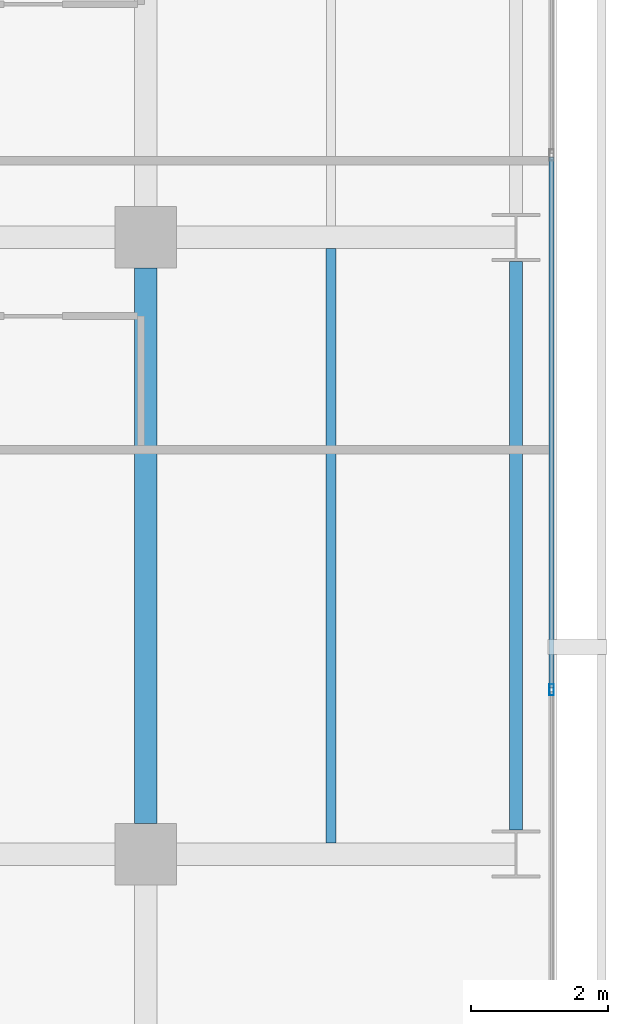
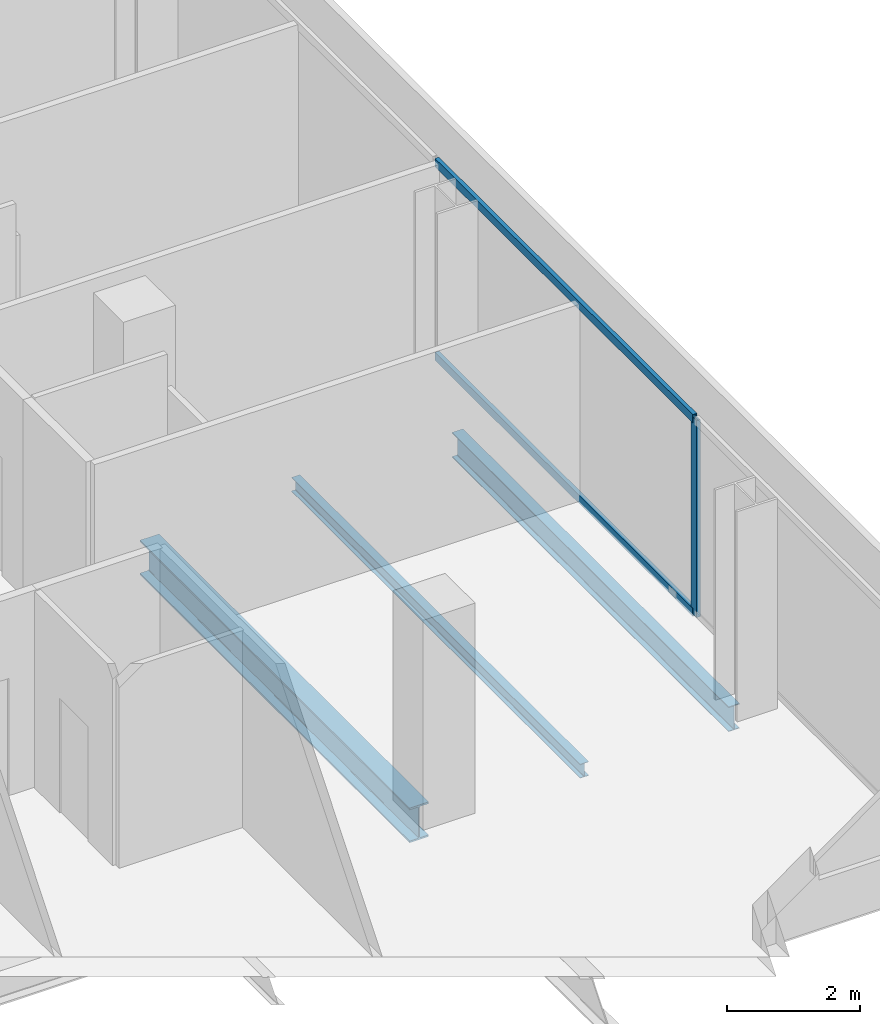
# One storey, part 17 of 40: 3 beams, 3 members, 1 element without a shape of its own.
"""IFC4 building model written with IfcOpenShell, lengths in metres."""

from ifc_helpers import new_model, si_unit, direction, frame, origin, origin_2d, place, context, subcontext, project, spatial, hollow_rectangle, i_section, extrude, material, layer, layer_set, material_profile, profile_set, type_object, element, aggregate, save


model = new_model("IFC4")

# Units and contexts
model_context = context("Model", 3, precision=1e-05, world=origin(), true_north=direction((0.0, 1.0)))
body_context = subcontext(model_context, "Body", "Model", "MODEL_VIEW")
ifc_project = project(units=[si_unit("LENGTHUNIT", "METRE"), si_unit("AREAUNIT", "SQUARE_METRE"), si_unit("VOLUMEUNIT", "CUBIC_METRE"), si_unit("PLANEANGLEUNIT", "RADIAN"), si_unit("MASSUNIT", "GRAM", prefix="KILO")], contexts=[model_context])

# Site, building, storey
site_placement = place(None, origin())
site = spatial("IfcSite", under=ifc_project, at=site_placement, CompositionType="ELEMENT")
building_placement = place(site_placement, origin())
building = spatial("IfcBuilding", under=site, at=building_placement, Name="Maruvema Waterfront Hotel and Observation Tower", CompositionType="ELEMENT")
storey_placement = place(building_placement, frame((0.0, 0.0, 30.800048828125)))
storey = spatial("IfcBuildingStorey", under=building, at=storey_placement, Name="L06", CompositionType="ELEMENT", Elevation=30.800048828125)

# Curtain wall, members
ifc_material_1 = material(Name="Anodised bronze aluminium and solar-control low-E IGU", Category="aluminium")
ifc_layer = layer(ifc_material_1, 0.159912109375, Name="Zone 1 Bronze Inner Thermal Curtain Wall System CW-02")
ifc_layer_set = layer_set([ifc_layer], Name="Anodised bronze aluminium and solar-control low-E IGU")
curtain_wall_type = type_object("IfcCurtainWallType", Name="Zone 1 Bronze Inner Thermal Curtain Wall System CW-02", PredefinedType="USERDEFINED", material=ifc_layer_set)
curtain_wall_placement = place(storey_placement, origin())
curtain_wall = element("IfcCurtainWall", 1, at=curtain_wall_placement, inside=storey, type_object=curtain_wall_type, Name="L06 Curtain Wall CW-L06-E", ObjectType="UNITISED CURTAIN WALL", PredefinedType="USERDEFINED")
ifc_material_2 = material(Name="Anodised architectural bronze aluminium", Category="aluminium")
ifc_material_profile_1 = material_profile(ifc_material_2, hollow_rectangle(XDim=0.070068359375, YDim=0.14990234375, WallThickness=0.00390625, at=origin_2d()), Name="ALU-T70x150")
ifc_profile_set_1 = profile_set([ifc_material_profile_1], Name="Anodised architectural bronze aluminium")
member_type_1 = type_object("IfcMemberType", Name="Curtain Wall Horizontal Transom ALU-T70x150", PredefinedType="USERDEFINED", material=ifc_profile_set_1)
member_1_placement = place(storey_placement, frame((64.719970703125, 11.429931640625, 0.030029296875), z_axis=(0.0, 1.0, 0.0), x_axis=(-1.0, 0.0, 0.0)))
member_1 = element("IfcMember", 2, at=member_1_placement, type_object=member_type_1, Name="CW-02 transom 2.1", ObjectType="TRANSOM", PredefinedType="USERDEFINED", context=body_context, shape_type="SweptSolid", body=[
    extrude(hollow_rectangle(XDim=0.070068359375, YDim=0.14990234375, WallThickness=0.00390625, at=origin_2d()), origin(), (0.0, 0.0, 1.0), 7.739990234375),
])
member_2_placement = place(storey_placement, frame((64.719970703125, 11.429931640625, 3.579833984375), z_axis=(0.0, 1.0, 0.0), x_axis=(-1.0, 0.0, 0.0)))
member_2 = element("IfcMember", 3, at=member_2_placement, type_object=member_type_1, Name="CW-02 transom 2.2", ObjectType="TRANSOM", PredefinedType="USERDEFINED", context=body_context, shape_type="SweptSolid", body=[
    extrude(hollow_rectangle(XDim=0.070068359375, YDim=0.14990234375, WallThickness=0.00390625, at=origin_2d()), origin(), (0.0, 0.0, 1.0), 7.739990234375),
])
ifc_material_3 = material(Name="Anodised architectural bronze aluminium", Category="aluminium")
ifc_material_profile_2 = material_profile(ifc_material_3, hollow_rectangle(XDim=0.06494140625, YDim=0.1650390625, WallThickness=0.00390625, at=origin_2d()), Name="ALU-M65x165")
ifc_profile_set_2 = profile_set([ifc_material_profile_2], Name="Anodised architectural bronze aluminium")
member_type_2 = type_object("IfcMemberType", Name="Curtain Wall Primary Mullion ALU-M65x165", PredefinedType="MULLION", material=ifc_profile_set_2)
member_3_placement = place(storey_placement, frame((64.719970703125, 11.39990234375, 0.0), z_axis=(0.0, 0.0, 1.0), x_axis=(-1.0, 0.0, 0.0)))
member_3 = element("IfcMember", 4, at=member_3_placement, type_object=member_type_2, Name="CW-02 mullion 2", PredefinedType="MULLION", context=body_context, shape_type="SweptSolid", body=[
    extrude(hollow_rectangle(XDim=0.06494140625, YDim=0.1650390625, WallThickness=0.00390625, at=origin_2d()), origin(), (0.0, 0.0, 1.0), 3.60986328125),
])
aggregate(curtain_wall, [member_3, member_1, member_2])

# Beams
ifc_material_4 = material(Name="Steel ASTM A572 Grade 50", Category="steel")
ifc_material_profile_3 = material_profile(ifc_material_4, i_section(OverallWidth=0.18994140625, OverallDepth=0.45703125, WebThickness=0.009033203125, FlangeThickness=0.014404296875, FilletRadius=0.014892578125, at=origin_2d()), Name="W460x74.0")
ifc_profile_set_3 = profile_set([ifc_material_profile_3], Name="Steel ASTM A572 Grade 50")
beam_type_1 = type_object("IfcBeamType", Name="Perimeter Spandrel Beam W460x74.0", PredefinedType="SPANDREL", material=ifc_profile_set_3)
beam_1_placement = place(storey_placement, frame((64.199951171875, 9.35009765625, -0.468505859375), z_axis=(0.0, 1.0, 0.0), x_axis=(-1.0, 0.0, 0.0)))
element("IfcBeam", 5, at=beam_1_placement, inside=storey, type_object=beam_type_1, Name="L06 Floor Girder NS-33", PredefinedType="SPANDREL", context=body_context, shape_type="SweptSolid", body=[
    extrude(i_section(OverallWidth=0.18994140625, OverallDepth=0.45703125, WebThickness=0.009033203125, FlangeThickness=0.014404296875, FilletRadius=0.014892578125, at=origin_2d()), origin(), (0.0, 0.0, 1.0), 8.2998046875),
])
ifc_material_5 = material(Name="Steel ASTM A572 Grade 50", Category="steel")
ifc_material_profile_4 = material_profile(ifc_material_5, i_section(OverallWidth=0.3291015625, OverallDepth=0.635009765625, WebThickness=0.017822265625, FlangeThickness=0.031005859375, FilletRadius=0.01806640625, at=origin_2d()), Name="W610x241.0")
ifc_profile_set_4 = profile_set([ifc_material_profile_4], Name="Steel ASTM A572 Grade 50")
beam_type_2 = type_object("IfcBeamType", Name="Primary Floor Girder W610x241.0", PredefinedType="BEAM", material=ifc_profile_set_4)
beam_2_placement = place(storey_placement, frame((58.800048828125, 9.449951171875, -0.5576171875), z_axis=(0.0, 1.0, 0.0), x_axis=(-1.0, 0.0, 0.0)))
element("IfcBeam", 6, at=beam_2_placement, inside=storey, type_object=beam_type_2, Name="L06 Floor Girder NS-28", PredefinedType="BEAM", context=body_context, shape_type="SweptSolid", body=[
    extrude(i_section(OverallWidth=0.3291015625, OverallDepth=0.635009765625, WebThickness=0.017822265625, FlangeThickness=0.031005859375, FilletRadius=0.01806640625, at=origin_2d()), origin(), (0.0, 0.0, 1.0), 8.10009765625),
])
ifc_material_6 = material(Name="Steel ASTM A572 Grade 50", Category="steel")
ifc_material_profile_5 = material_profile(ifc_material_6, i_section(OverallWidth=0.14599609375, OverallDepth=0.258056640625, WebThickness=0.006103515625, FlangeThickness=0.009033203125, FilletRadius=0.012939453125, at=origin_2d()), Name="W250x32.7")
ifc_profile_set_5 = profile_set([ifc_material_profile_5], Name="Steel ASTM A572 Grade 50")
beam_type_3 = type_object("IfcBeamType", Name="Secondary Floor Joist W250x32.7", PredefinedType="JOIST", material=ifc_profile_set_5)
beam_3_placement = place(storey_placement, frame((61.5, 9.16455078125, -0.369140625), z_axis=(0.0, 1.0, 0.0), x_axis=(-1.0, 0.0, 0.0)))
element("IfcBeam", 7, at=beam_3_placement, inside=storey, type_object=beam_type_3, Name="L06 Secondary Floor Joist JS-21", PredefinedType="JOIST", context=body_context, shape_type="SweptSolid", body=[
    extrude(i_section(OverallWidth=0.14599609375, OverallDepth=0.258056640625, WebThickness=0.006103515625, FlangeThickness=0.009033203125, FilletRadius=0.012939453125, at=origin_2d()), origin(), (0.0, 0.0, 1.0), 8.6708984375),
])

save(model, "model.ifc")
